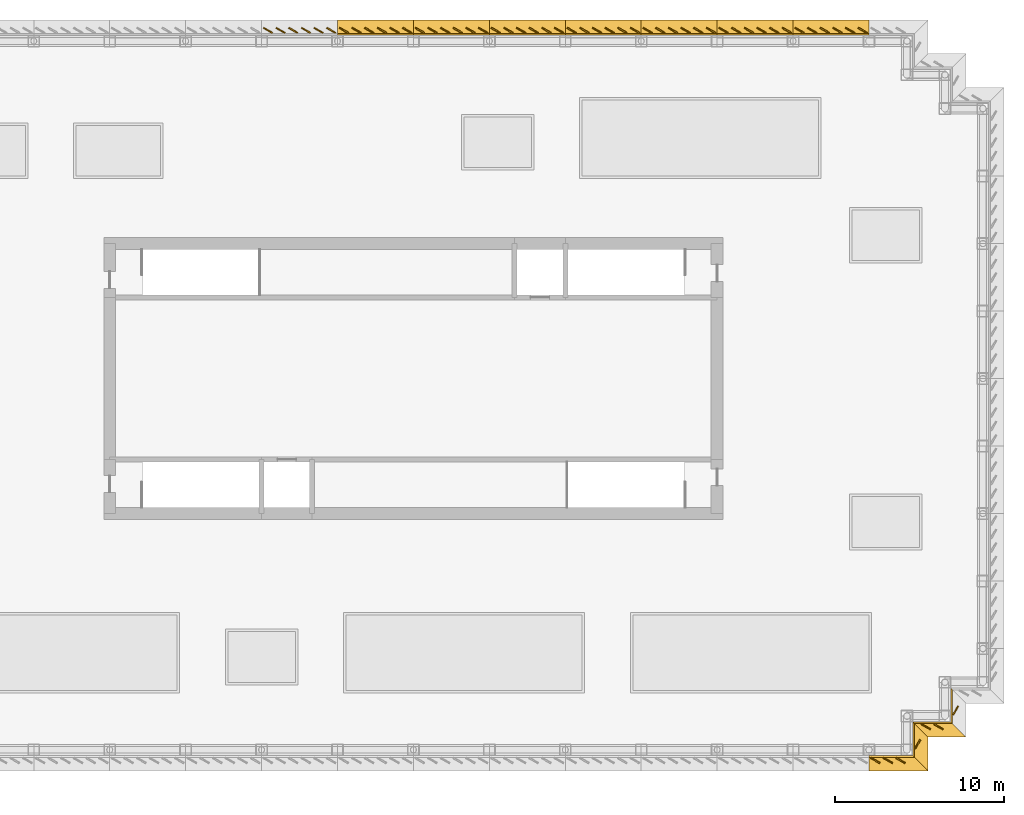
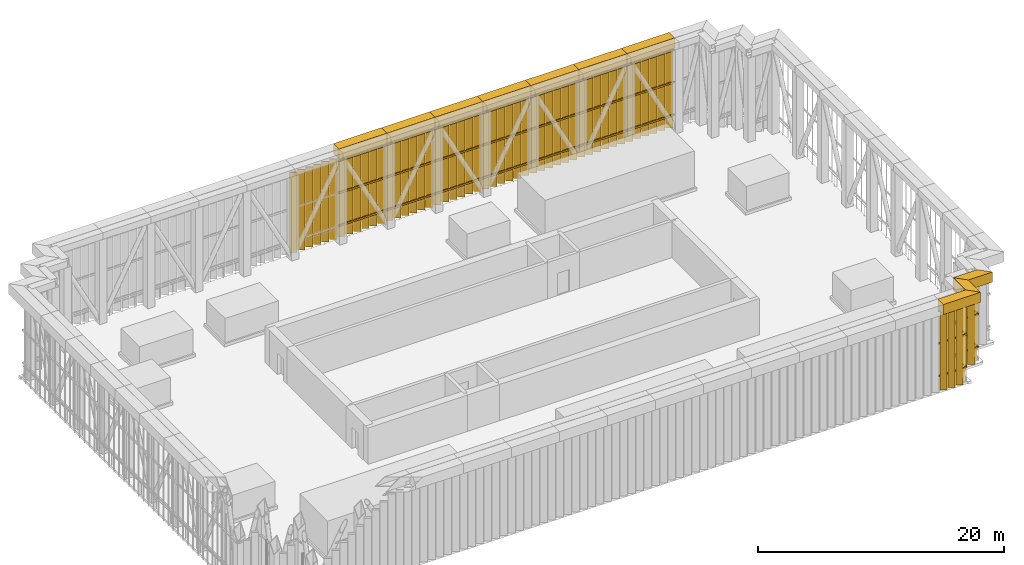
# One storey, part 8 of 11: 33 coverings.
"""IFC4 building model written with IfcOpenShell, lengths in metres."""

from ifc_helpers import new_model, si_unit, direction, frame, origin, place, context, subcontext, project, spatial, polyline, outline, extrude, material, layer, layer_set, type_object, element, save


model = new_model("IFC4")

# Units and contexts
model_context = context("Model", 3, precision=1e-05, world=origin(), true_north=direction((0.0, 1.0)))
body_context = subcontext(model_context, "Body", "Model", "MODEL_VIEW")
ifc_project = project(units=[si_unit("LENGTHUNIT", "METRE"), si_unit("AREAUNIT", "SQUARE_METRE"), si_unit("VOLUMEUNIT", "CUBIC_METRE"), si_unit("PLANEANGLEUNIT", "RADIAN"), si_unit("MASSUNIT", "GRAM", prefix="KILO")], contexts=[model_context])

# Site, building, storey
site_placement = place(None, origin())
site = spatial("IfcSite", under=ifc_project, at=site_placement, CompositionType="ELEMENT")
building_placement = place(site_placement, origin())
building = spatial("IfcBuilding", under=site, at=building_placement, Name="Rheinbord Bourse Tower", CompositionType="ELEMENT")
storey_placement = place(building_placement, frame((0.0, 0.0, 334.10009765625)))
storey = spatial("IfcBuildingStorey", under=building, at=storey_placement, Name="RF", CompositionType="ELEMENT", Elevation=334.10009765625)

# Coverings
ifc_material_1 = material(Name="Black aluminium coping on a steel frame", Category="steel")
ifc_layer_1 = layer(ifc_material_1, 1.0)
ifc_layer_set_1 = layer_set([ifc_layer_1], Name="CROWN CAP 900x1000")
covering_type_1 = type_object("IfcCoveringType", Name="CROWN CAP 900x1000", PredefinedType="USERDEFINED", material=ifc_layer_set_1)
covering_1_placement = place(storey_placement, frame((0.0, 0.0, 8.0)))
element("IfcCovering", 1, at=covering_1_placement, inside=storey, type_object=covering_type_1, Name="Crown cap S-63-SE-E", ObjectType="COPING", PredefinedType="USERDEFINED", context=body_context, shape_type="SweptSolid", body=[
    extrude(outline(polyline([(63.0, 1.64990234375), (65.60009765625, 1.64990234375), (66.5, 0.75), (63.0, 0.75), (63.0, 1.64990234375)])), origin(), (0.0, 0.0, 1.0), 1.0),
])
covering_2_placement = place(storey_placement, frame((0.0, 0.0, 8.0)))
element("IfcCovering", 2, at=covering_2_placement, inside=storey, type_object=covering_type_1, Name="Crown cap SE-E-SE-D", ObjectType="COPING", PredefinedType="USERDEFINED", context=body_context, shape_type="SweptSolid", body=[
    extrude(outline(polyline([(65.60009765625, 1.64990234375), (65.60009765625, 3.64990234375), (66.5, 2.75), (66.5, 0.75), (65.60009765625, 1.64990234375)])), origin(), (0.0, 0.0, 1.0), 1.0),
])
covering_3_placement = place(storey_placement, frame((0.0, 0.0, 8.0)))
element("IfcCovering", 3, at=covering_3_placement, inside=storey, type_object=covering_type_1, Name="Crown cap SE-D-SE-C", ObjectType="COPING", PredefinedType="USERDEFINED", context=body_context, shape_type="SweptSolid", body=[
    extrude(outline(polyline([(65.60009765625, 3.64990234375), (67.85009765625, 3.64990234375), (68.75, 2.75), (66.5, 2.75), (65.60009765625, 3.64990234375)])), origin(), (0.0, 0.0, 1.0), 1.0),
])
covering_4_placement = place(storey_placement, frame((0.0, 0.0, 8.0)))
element("IfcCovering", 4, at=covering_4_placement, inside=storey, type_object=covering_type_1, Name="Crown cap N-63-N-58.5", ObjectType="COPING", PredefinedType="USERDEFINED", context=body_context, shape_type="SweptSolid", body=[
    extrude(outline(polyline([(63.0, 44.35009765625), (58.5, 44.35009765625), (58.5, 45.25), (63.0, 45.25), (63.0, 44.35009765625)])), origin(), (0.0, 0.0, 1.0), 1.0),
])
covering_5_placement = place(storey_placement, frame((0.0, 0.0, 8.0)))
element("IfcCovering", 5, at=covering_5_placement, inside=storey, type_object=covering_type_1, Name="Crown cap N-58.5-N-54", ObjectType="COPING", PredefinedType="USERDEFINED", context=body_context, shape_type="SweptSolid", body=[
    extrude(outline(polyline([(58.5, 44.35009765625), (54.0, 44.35009765625), (54.0, 45.25), (58.5, 45.25), (58.5, 44.35009765625)])), origin(), (0.0, 0.0, 1.0), 1.0),
])
covering_6_placement = place(storey_placement, frame((0.0, 0.0, 8.0)))
element("IfcCovering", 6, at=covering_6_placement, inside=storey, type_object=covering_type_1, Name="Crown cap N-54-N-49.5", ObjectType="COPING", PredefinedType="USERDEFINED", context=body_context, shape_type="SweptSolid", body=[
    extrude(outline(polyline([(54.0, 44.35009765625), (49.5, 44.35009765625), (49.5, 45.25), (54.0, 45.25), (54.0, 44.35009765625)])), origin(), (0.0, 0.0, 1.0), 1.0),
])
covering_7_placement = place(storey_placement, frame((0.0, 0.0, 8.0)))
element("IfcCovering", 7, at=covering_7_placement, inside=storey, type_object=covering_type_1, Name="Crown cap N-49.5-N-45", ObjectType="COPING", PredefinedType="USERDEFINED", context=body_context, shape_type="SweptSolid", body=[
    extrude(outline(polyline([(49.5, 44.35009765625), (45.0, 44.35009765625), (45.0, 45.25), (49.5, 45.25), (49.5, 44.35009765625)])), origin(), (0.0, 0.0, 1.0), 1.0),
])
covering_8_placement = place(storey_placement, frame((0.0, 0.0, 8.0)))
element("IfcCovering", 8, at=covering_8_placement, inside=storey, type_object=covering_type_1, Name="Crown cap N-45-N-40.5", ObjectType="COPING", PredefinedType="USERDEFINED", context=body_context, shape_type="SweptSolid", body=[
    extrude(outline(polyline([(45.0, 44.35009765625), (40.5, 44.35009765625), (40.5, 45.25), (45.0, 45.25), (45.0, 44.35009765625)])), origin(), (0.0, 0.0, 1.0), 1.0),
])
covering_9_placement = place(storey_placement, frame((0.0, 0.0, 8.0)))
element("IfcCovering", 9, at=covering_9_placement, inside=storey, type_object=covering_type_1, Name="Crown cap N-40.5-N-36", ObjectType="COPING", PredefinedType="USERDEFINED", context=body_context, shape_type="SweptSolid", body=[
    extrude(outline(polyline([(40.5, 44.35009765625), (36.0, 44.35009765625), (36.0, 45.25), (40.5, 45.25), (40.5, 44.35009765625)])), origin(), (0.0, 0.0, 1.0), 1.0),
])
covering_10_placement = place(storey_placement, frame((0.0, 0.0, 8.0)))
element("IfcCovering", 10, at=covering_10_placement, inside=storey, type_object=covering_type_1, Name="Crown cap N-36-N-31.5", ObjectType="COPING", PredefinedType="USERDEFINED", context=body_context, shape_type="SweptSolid", body=[
    extrude(outline(polyline([(36.0, 44.35009765625), (31.5, 44.35009765625), (31.5, 45.25), (36.0, 45.25), (36.0, 44.35009765625)])), origin(), (0.0, 0.0, 1.0), 1.0),
])
ifc_material_2 = material(Name="Black anodised aluminium", Category="aluminium")
ifc_layer_2 = layer(ifc_material_2, 0.080078125)
ifc_layer_set_2 = layer_set([ifc_layer_2], Name="CROWN SCREEN BLADE 600x80")
covering_type_2 = type_object("IfcCoveringType", Name="CROWN SCREEN BLADE 600x80", PredefinedType="USERDEFINED", material=ifc_layer_set_2)
covering_11_placement = place(storey_placement, frame((0.0, 0.0, 0.0498046875)))
element("IfcCovering", 11, at=covering_11_placement, inside=storey, type_object=covering_type_2, Name="Crown screen blades S-63-SE-E", ObjectType="LOUVRE", PredefinedType="USERDEFINED", context=body_context, shape_type="SweptSolid", body=[
    extrude(outline(polyline([(63.135009765625, 1.550048828125), (63.655029296875, 1.25), (63.614990234375, 1.180908203125), (63.094970703125, 1.48095703125), (63.135009765625, 1.550048828125)])), origin(), (0.0, 0.0, 1.0), 7.9501953125),
    extrude(outline(polyline([(63.885009765625, 1.550048828125), (64.405029296875, 1.25), (64.364990234375, 1.180908203125), (63.844970703125, 1.48095703125), (63.885009765625, 1.550048828125)])), origin(), (0.0, 0.0, 1.0), 7.9501953125),
    extrude(outline(polyline([(64.635009765625, 1.550048828125), (65.155029296875, 1.25), (65.114990234375, 1.180908203125), (64.594970703125, 1.48095703125), (64.635009765625, 1.550048828125)])), origin(), (0.0, 0.0, 1.0), 7.9501953125),
])
covering_12_placement = place(storey_placement, frame((0.0, 0.0, 0.0498046875)))
element("IfcCovering", 12, at=covering_12_placement, inside=storey, type_object=covering_type_2, Name="Crown screen blades SE-E-SE-D", ObjectType="LOUVRE", PredefinedType="USERDEFINED", context=body_context, shape_type="SweptSolid", body=[
    extrude(outline(polyline([(65.699951171875, 2.093994140625), (66.0, 2.613037109375), (66.069091796875, 2.572998046875), (65.76904296875, 2.053955078125), (65.699951171875, 2.093994140625)])), origin(), (0.0, 0.0, 1.0), 7.9501953125),
])
covering_13_placement = place(storey_placement, frame((0.0, 0.0, 0.0498046875)))
element("IfcCovering", 13, at=covering_13_placement, inside=storey, type_object=covering_type_2, Name="Crown screen blades SE-D-SE-C", ObjectType="LOUVRE", PredefinedType="USERDEFINED", context=body_context, shape_type="SweptSolid", body=[
    extrude(outline(polyline([(66.135009765625, 3.550048828125), (66.655029296875, 3.25), (66.614990234375, 3.180908203125), (66.094970703125, 3.48095703125), (66.135009765625, 3.550048828125)])), origin(), (0.0, 0.0, 1.0), 7.9501953125),
    extrude(outline(polyline([(66.885009765625, 3.550048828125), (67.405029296875, 3.25), (67.364990234375, 3.180908203125), (66.844970703125, 3.48095703125), (66.885009765625, 3.550048828125)])), origin(), (0.0, 0.0, 1.0), 7.9501953125),
])
covering_14_placement = place(storey_placement, frame((0.0, 0.0, 0.0498046875)))
element("IfcCovering", 14, at=covering_14_placement, inside=storey, type_object=covering_type_2, Name="Crown screen blades SE-C-SE-B", ObjectType="LOUVRE", PredefinedType="USERDEFINED", context=body_context, shape_type="SweptSolid", body=[
    extrude(outline(polyline([(67.949951171875, 4.093994140625), (68.25, 4.613037109375), (68.319091796875, 4.572998046875), (68.01904296875, 4.053955078125), (67.949951171875, 4.093994140625)])), origin(), (0.0, 0.0, 1.0), 7.9501953125),
])
covering_15_placement = place(storey_placement, frame((0.0, 0.0, 0.0498046875)))
element("IfcCovering", 15, at=covering_15_placement, inside=storey, type_object=covering_type_2, Name="Crown screen blades N-63-N-58.5", ObjectType="LOUVRE", PredefinedType="USERDEFINED", context=body_context, shape_type="SweptSolid", body=[
    extrude(outline(polyline([(62.864990234375, 44.449951171875), (62.344970703125, 44.75), (62.385009765625, 44.819091796875), (62.905029296875, 44.51904296875), (62.864990234375, 44.449951171875)])), origin(), (0.0, 0.0, 1.0), 7.9501953125),
    extrude(outline(polyline([(62.114990234375, 44.449951171875), (61.594970703125, 44.75), (61.635009765625, 44.819091796875), (62.155029296875, 44.51904296875), (62.114990234375, 44.449951171875)])), origin(), (0.0, 0.0, 1.0), 7.9501953125),
    extrude(outline(polyline([(61.364990234375, 44.449951171875), (60.844970703125, 44.75), (60.885009765625, 44.819091796875), (61.405029296875, 44.51904296875), (61.364990234375, 44.449951171875)])), origin(), (0.0, 0.0, 1.0), 7.9501953125),
    extrude(outline(polyline([(60.614990234375, 44.449951171875), (60.094970703125, 44.75), (60.135009765625, 44.819091796875), (60.655029296875, 44.51904296875), (60.614990234375, 44.449951171875)])), origin(), (0.0, 0.0, 1.0), 7.9501953125),
    extrude(outline(polyline([(59.864990234375, 44.449951171875), (59.344970703125, 44.75), (59.385009765625, 44.819091796875), (59.905029296875, 44.51904296875), (59.864990234375, 44.449951171875)])), origin(), (0.0, 0.0, 1.0), 7.9501953125),
    extrude(outline(polyline([(59.114990234375, 44.449951171875), (58.594970703125, 44.75), (58.635009765625, 44.819091796875), (59.155029296875, 44.51904296875), (59.114990234375, 44.449951171875)])), origin(), (0.0, 0.0, 1.0), 7.9501953125),
])
covering_16_placement = place(storey_placement, frame((0.0, 0.0, 0.0498046875)))
element("IfcCovering", 16, at=covering_16_placement, inside=storey, type_object=covering_type_2, Name="Crown screen blades N-58.5-N-54", ObjectType="LOUVRE", PredefinedType="USERDEFINED", context=body_context, shape_type="SweptSolid", body=[
    extrude(outline(polyline([(58.364990234375, 44.449951171875), (57.844970703125, 44.75), (57.885009765625, 44.819091796875), (58.405029296875, 44.51904296875), (58.364990234375, 44.449951171875)])), origin(), (0.0, 0.0, 1.0), 7.9501953125),
    extrude(outline(polyline([(57.614990234375, 44.449951171875), (57.094970703125, 44.75), (57.135009765625, 44.819091796875), (57.655029296875, 44.51904296875), (57.614990234375, 44.449951171875)])), origin(), (0.0, 0.0, 1.0), 7.9501953125),
    extrude(outline(polyline([(56.864990234375, 44.449951171875), (56.344970703125, 44.75), (56.385009765625, 44.819091796875), (56.905029296875, 44.51904296875), (56.864990234375, 44.449951171875)])), origin(), (0.0, 0.0, 1.0), 7.9501953125),
    extrude(outline(polyline([(56.114990234375, 44.449951171875), (55.594970703125, 44.75), (55.635009765625, 44.819091796875), (56.155029296875, 44.51904296875), (56.114990234375, 44.449951171875)])), origin(), (0.0, 0.0, 1.0), 7.9501953125),
    extrude(outline(polyline([(55.364990234375, 44.449951171875), (54.844970703125, 44.75), (54.885009765625, 44.819091796875), (55.405029296875, 44.51904296875), (55.364990234375, 44.449951171875)])), origin(), (0.0, 0.0, 1.0), 7.9501953125),
    extrude(outline(polyline([(54.614990234375, 44.449951171875), (54.094970703125, 44.75), (54.135009765625, 44.819091796875), (54.655029296875, 44.51904296875), (54.614990234375, 44.449951171875)])), origin(), (0.0, 0.0, 1.0), 7.9501953125),
])
covering_17_placement = place(storey_placement, frame((0.0, 0.0, 0.0498046875)))
element("IfcCovering", 17, at=covering_17_placement, inside=storey, type_object=covering_type_2, Name="Crown screen blades N-54-N-49.5", ObjectType="LOUVRE", PredefinedType="USERDEFINED", context=body_context, shape_type="SweptSolid", body=[
    extrude(outline(polyline([(53.864990234375, 44.449951171875), (53.344970703125, 44.75), (53.385009765625, 44.819091796875), (53.905029296875, 44.51904296875), (53.864990234375, 44.449951171875)])), origin(), (0.0, 0.0, 1.0), 7.9501953125),
    extrude(outline(polyline([(53.114990234375, 44.449951171875), (52.594970703125, 44.75), (52.635009765625, 44.819091796875), (53.155029296875, 44.51904296875), (53.114990234375, 44.449951171875)])), origin(), (0.0, 0.0, 1.0), 7.9501953125),
    extrude(outline(polyline([(52.364990234375, 44.449951171875), (51.844970703125, 44.75), (51.885009765625, 44.819091796875), (52.405029296875, 44.51904296875), (52.364990234375, 44.449951171875)])), origin(), (0.0, 0.0, 1.0), 7.9501953125),
    extrude(outline(polyline([(51.614990234375, 44.449951171875), (51.094970703125, 44.75), (51.135009765625, 44.819091796875), (51.655029296875, 44.51904296875), (51.614990234375, 44.449951171875)])), origin(), (0.0, 0.0, 1.0), 7.9501953125),
    extrude(outline(polyline([(50.864990234375, 44.449951171875), (50.344970703125, 44.75), (50.385009765625, 44.819091796875), (50.905029296875, 44.51904296875), (50.864990234375, 44.449951171875)])), origin(), (0.0, 0.0, 1.0), 7.9501953125),
    extrude(outline(polyline([(50.114990234375, 44.449951171875), (49.594970703125, 44.75), (49.635009765625, 44.819091796875), (50.155029296875, 44.51904296875), (50.114990234375, 44.449951171875)])), origin(), (0.0, 0.0, 1.0), 7.9501953125),
])
covering_18_placement = place(storey_placement, frame((0.0, 0.0, 0.0498046875)))
element("IfcCovering", 18, at=covering_18_placement, inside=storey, type_object=covering_type_2, Name="Crown screen blades N-49.5-N-45", ObjectType="LOUVRE", PredefinedType="USERDEFINED", context=body_context, shape_type="SweptSolid", body=[
    extrude(outline(polyline([(49.364990234375, 44.449951171875), (48.844970703125, 44.75), (48.885009765625, 44.819091796875), (49.405029296875, 44.51904296875), (49.364990234375, 44.449951171875)])), origin(), (0.0, 0.0, 1.0), 7.9501953125),
    extrude(outline(polyline([(48.614990234375, 44.449951171875), (48.094970703125, 44.75), (48.135009765625, 44.819091796875), (48.655029296875, 44.51904296875), (48.614990234375, 44.449951171875)])), origin(), (0.0, 0.0, 1.0), 7.9501953125),
    extrude(outline(polyline([(47.864990234375, 44.449951171875), (47.344970703125, 44.75), (47.385009765625, 44.819091796875), (47.905029296875, 44.51904296875), (47.864990234375, 44.449951171875)])), origin(), (0.0, 0.0, 1.0), 7.9501953125),
    extrude(outline(polyline([(47.114990234375, 44.449951171875), (46.594970703125, 44.75), (46.635009765625, 44.819091796875), (47.155029296875, 44.51904296875), (47.114990234375, 44.449951171875)])), origin(), (0.0, 0.0, 1.0), 7.9501953125),
    extrude(outline(polyline([(46.364990234375, 44.449951171875), (45.844970703125, 44.75), (45.885009765625, 44.819091796875), (46.405029296875, 44.51904296875), (46.364990234375, 44.449951171875)])), origin(), (0.0, 0.0, 1.0), 7.9501953125),
    extrude(outline(polyline([(45.614990234375, 44.449951171875), (45.094970703125, 44.75), (45.135009765625, 44.819091796875), (45.655029296875, 44.51904296875), (45.614990234375, 44.449951171875)])), origin(), (0.0, 0.0, 1.0), 7.9501953125),
])
covering_19_placement = place(storey_placement, frame((0.0, 0.0, 0.0498046875)))
element("IfcCovering", 19, at=covering_19_placement, inside=storey, type_object=covering_type_2, Name="Crown screen blades N-45-N-40.5", ObjectType="LOUVRE", PredefinedType="USERDEFINED", context=body_context, shape_type="SweptSolid", body=[
    extrude(outline(polyline([(44.864990234375, 44.449951171875), (44.344970703125, 44.75), (44.385009765625, 44.819091796875), (44.905029296875, 44.51904296875), (44.864990234375, 44.449951171875)])), origin(), (0.0, 0.0, 1.0), 7.9501953125),
    extrude(outline(polyline([(44.114990234375, 44.449951171875), (43.594970703125, 44.75), (43.635009765625, 44.819091796875), (44.155029296875, 44.51904296875), (44.114990234375, 44.449951171875)])), origin(), (0.0, 0.0, 1.0), 7.9501953125),
    extrude(outline(polyline([(43.364990234375, 44.449951171875), (42.844970703125, 44.75), (42.885009765625, 44.819091796875), (43.405029296875, 44.51904296875), (43.364990234375, 44.449951171875)])), origin(), (0.0, 0.0, 1.0), 7.9501953125),
    extrude(outline(polyline([(42.614990234375, 44.449951171875), (42.094970703125, 44.75), (42.135009765625, 44.819091796875), (42.655029296875, 44.51904296875), (42.614990234375, 44.449951171875)])), origin(), (0.0, 0.0, 1.0), 7.9501953125),
    extrude(outline(polyline([(41.864990234375, 44.449951171875), (41.344970703125, 44.75), (41.385009765625, 44.819091796875), (41.905029296875, 44.51904296875), (41.864990234375, 44.449951171875)])), origin(), (0.0, 0.0, 1.0), 7.9501953125),
    extrude(outline(polyline([(41.114990234375, 44.449951171875), (40.594970703125, 44.75), (40.635009765625, 44.819091796875), (41.155029296875, 44.51904296875), (41.114990234375, 44.449951171875)])), origin(), (0.0, 0.0, 1.0), 7.9501953125),
])
covering_20_placement = place(storey_placement, frame((0.0, 0.0, 0.0498046875)))
element("IfcCovering", 20, at=covering_20_placement, inside=storey, type_object=covering_type_2, Name="Crown screen blades N-40.5-N-36", ObjectType="LOUVRE", PredefinedType="USERDEFINED", context=body_context, shape_type="SweptSolid", body=[
    extrude(outline(polyline([(40.364990234375, 44.449951171875), (39.844970703125, 44.75), (39.885009765625, 44.819091796875), (40.405029296875, 44.51904296875), (40.364990234375, 44.449951171875)])), origin(), (0.0, 0.0, 1.0), 7.9501953125),
    extrude(outline(polyline([(39.614990234375, 44.449951171875), (39.094970703125, 44.75), (39.135009765625, 44.819091796875), (39.655029296875, 44.51904296875), (39.614990234375, 44.449951171875)])), origin(), (0.0, 0.0, 1.0), 7.9501953125),
    extrude(outline(polyline([(38.864990234375, 44.449951171875), (38.344970703125, 44.75), (38.385009765625, 44.819091796875), (38.905029296875, 44.51904296875), (38.864990234375, 44.449951171875)])), origin(), (0.0, 0.0, 1.0), 7.9501953125),
    extrude(outline(polyline([(38.114990234375, 44.449951171875), (37.594970703125, 44.75), (37.635009765625, 44.819091796875), (38.155029296875, 44.51904296875), (38.114990234375, 44.449951171875)])), origin(), (0.0, 0.0, 1.0), 7.9501953125),
    extrude(outline(polyline([(37.364990234375, 44.449951171875), (36.844970703125, 44.75), (36.885009765625, 44.819091796875), (37.405029296875, 44.51904296875), (37.364990234375, 44.449951171875)])), origin(), (0.0, 0.0, 1.0), 7.9501953125),
    extrude(outline(polyline([(36.614990234375, 44.449951171875), (36.094970703125, 44.75), (36.135009765625, 44.819091796875), (36.655029296875, 44.51904296875), (36.614990234375, 44.449951171875)])), origin(), (0.0, 0.0, 1.0), 7.9501953125),
])
covering_21_placement = place(storey_placement, frame((0.0, 0.0, 0.0498046875)))
element("IfcCovering", 21, at=covering_21_placement, inside=storey, type_object=covering_type_2, Name="Crown screen blades N-36-N-31.5", ObjectType="LOUVRE", PredefinedType="USERDEFINED", context=body_context, shape_type="SweptSolid", body=[
    extrude(outline(polyline([(35.864990234375, 44.449951171875), (35.344970703125, 44.75), (35.385009765625, 44.819091796875), (35.905029296875, 44.51904296875), (35.864990234375, 44.449951171875)])), origin(), (0.0, 0.0, 1.0), 7.9501953125),
    extrude(outline(polyline([(35.114990234375, 44.449951171875), (34.594970703125, 44.75), (34.635009765625, 44.819091796875), (35.155029296875, 44.51904296875), (35.114990234375, 44.449951171875)])), origin(), (0.0, 0.0, 1.0), 7.9501953125),
    extrude(outline(polyline([(34.364990234375, 44.449951171875), (33.844970703125, 44.75), (33.885009765625, 44.819091796875), (34.405029296875, 44.51904296875), (34.364990234375, 44.449951171875)])), origin(), (0.0, 0.0, 1.0), 7.9501953125),
    extrude(outline(polyline([(33.614990234375, 44.449951171875), (33.094970703125, 44.75), (33.135009765625, 44.819091796875), (33.655029296875, 44.51904296875), (33.614990234375, 44.449951171875)])), origin(), (0.0, 0.0, 1.0), 7.9501953125),
    extrude(outline(polyline([(32.864990234375, 44.449951171875), (32.344970703125, 44.75), (32.385009765625, 44.819091796875), (32.905029296875, 44.51904296875), (32.864990234375, 44.449951171875)])), origin(), (0.0, 0.0, 1.0), 7.9501953125),
    extrude(outline(polyline([(32.114990234375, 44.449951171875), (31.594970703125, 44.75), (31.635009765625, 44.819091796875), (32.155029296875, 44.51904296875), (32.114990234375, 44.449951171875)])), origin(), (0.0, 0.0, 1.0), 7.9501953125),
])
covering_22_placement = place(storey_placement, frame((0.0, 0.0, 0.0498046875)))
element("IfcCovering", 22, at=covering_22_placement, inside=storey, type_object=covering_type_2, Name="Crown screen blades N-31.5-N-27", ObjectType="LOUVRE", PredefinedType="USERDEFINED", context=body_context, shape_type="SweptSolid", body=[
    extrude(outline(polyline([(31.364990234375, 44.449951171875), (30.844970703125, 44.75), (30.885009765625, 44.819091796875), (31.405029296875, 44.51904296875), (31.364990234375, 44.449951171875)])), origin(), (0.0, 0.0, 1.0), 7.9501953125),
    extrude(outline(polyline([(30.614990234375, 44.449951171875), (30.094970703125, 44.75), (30.135009765625, 44.819091796875), (30.655029296875, 44.51904296875), (30.614990234375, 44.449951171875)])), origin(), (0.0, 0.0, 1.0), 7.9501953125),
    extrude(outline(polyline([(29.864990234375, 44.449951171875), (29.344970703125, 44.75), (29.385009765625, 44.819091796875), (29.905029296875, 44.51904296875), (29.864990234375, 44.449951171875)])), origin(), (0.0, 0.0, 1.0), 7.9501953125),
    extrude(outline(polyline([(29.114990234375, 44.449951171875), (28.594970703125, 44.75), (28.635009765625, 44.819091796875), (29.155029296875, 44.51904296875), (29.114990234375, 44.449951171875)])), origin(), (0.0, 0.0, 1.0), 7.9501953125),
    extrude(outline(polyline([(28.364990234375, 44.449951171875), (27.844970703125, 44.75), (27.885009765625, 44.819091796875), (28.405029296875, 44.51904296875), (28.364990234375, 44.449951171875)])), origin(), (0.0, 0.0, 1.0), 7.9501953125),
    extrude(outline(polyline([(27.614990234375, 44.449951171875), (27.094970703125, 44.75), (27.135009765625, 44.819091796875), (27.655029296875, 44.51904296875), (27.614990234375, 44.449951171875)])), origin(), (0.0, 0.0, 1.0), 7.9501953125),
])
ifc_material_3 = material(Name="Black powder-coated steel", Category="steel")
ifc_layer_3 = layer(ifc_material_3, 0.10009765625)
ifc_layer_set_3 = layer_set([ifc_layer_3], Name="CROWN SCREEN RAIL 150x100")
covering_type_3 = type_object("IfcCoveringType", Name="CROWN SCREEN RAIL 150x100", PredefinedType="USERDEFINED", material=ifc_layer_set_3)
covering_23_placement = place(storey_placement, frame((0.0, 0.0, 1.2998046875)))
element("IfcCovering", 23, at=covering_23_placement, inside=storey, type_object=covering_type_3, Name="Crown screen rails S-63-SE-E", ObjectType="LOUVRE RAIL", PredefinedType="USERDEFINED", context=body_context, shape_type="SweptSolid", body=[
    extrude(outline(polyline([(63.0, 1.64990234375), (65.60009765625, 1.64990234375), (65.699951171875, 1.550048828125), (63.0, 1.550048828125), (63.0, 1.64990234375)])), origin(), (0.0, 0.0, 1.0), 0.150146484375),
    extrude(outline(polyline([(63.0, 1.64990234375), (65.60009765625, 1.64990234375), (65.699951171875, 1.550048828125), (63.0, 1.550048828125), (63.0, 1.64990234375)])), frame((0.0, 0.0, 3.25)), (0.0, 0.0, 1.0), 0.150146484375),
    extrude(outline(polyline([(63.0, 1.64990234375), (65.60009765625, 1.64990234375), (65.699951171875, 1.550048828125), (63.0, 1.550048828125), (63.0, 1.64990234375)])), frame((0.0, 0.0, 6.4501953125)), (0.0, 0.0, 1.0), 0.14990234375),
])
covering_24_placement = place(storey_placement, frame((0.0, 0.0, 1.2998046875)))
element("IfcCovering", 24, at=covering_24_placement, inside=storey, type_object=covering_type_3, Name="Crown screen rails SE-E-SE-D", ObjectType="LOUVRE RAIL", PredefinedType="USERDEFINED", context=body_context, shape_type="SweptSolid", body=[
    extrude(outline(polyline([(65.60009765625, 1.64990234375), (65.60009765625, 3.64990234375), (65.699951171875, 3.550048828125), (65.699951171875, 1.550048828125), (65.60009765625, 1.64990234375)])), origin(), (0.0, 0.0, 1.0), 0.150146484375),
    extrude(outline(polyline([(65.60009765625, 1.64990234375), (65.60009765625, 3.64990234375), (65.699951171875, 3.550048828125), (65.699951171875, 1.550048828125), (65.60009765625, 1.64990234375)])), frame((0.0, 0.0, 3.25)), (0.0, 0.0, 1.0), 0.150146484375),
    extrude(outline(polyline([(65.60009765625, 1.64990234375), (65.60009765625, 3.64990234375), (65.699951171875, 3.550048828125), (65.699951171875, 1.550048828125), (65.60009765625, 1.64990234375)])), frame((0.0, 0.0, 6.4501953125)), (0.0, 0.0, 1.0), 0.14990234375),
])
covering_25_placement = place(storey_placement, frame((0.0, 0.0, 1.2998046875)))
element("IfcCovering", 25, at=covering_25_placement, inside=storey, type_object=covering_type_3, Name="Crown screen rails SE-D-SE-C", ObjectType="LOUVRE RAIL", PredefinedType="USERDEFINED", context=body_context, shape_type="SweptSolid", body=[
    extrude(outline(polyline([(65.60009765625, 3.64990234375), (67.85009765625, 3.64990234375), (67.949951171875, 3.550048828125), (65.699951171875, 3.550048828125), (65.60009765625, 3.64990234375)])), origin(), (0.0, 0.0, 1.0), 0.150146484375),
    extrude(outline(polyline([(65.60009765625, 3.64990234375), (67.85009765625, 3.64990234375), (67.949951171875, 3.550048828125), (65.699951171875, 3.550048828125), (65.60009765625, 3.64990234375)])), frame((0.0, 0.0, 3.25)), (0.0, 0.0, 1.0), 0.150146484375),
    extrude(outline(polyline([(65.60009765625, 3.64990234375), (67.85009765625, 3.64990234375), (67.949951171875, 3.550048828125), (65.699951171875, 3.550048828125), (65.60009765625, 3.64990234375)])), frame((0.0, 0.0, 6.4501953125)), (0.0, 0.0, 1.0), 0.14990234375),
])
covering_26_placement = place(storey_placement, frame((0.0, 0.0, 1.2998046875)))
element("IfcCovering", 26, at=covering_26_placement, inside=storey, type_object=covering_type_3, Name="Crown screen rails SE-C-SE-B", ObjectType="LOUVRE RAIL", PredefinedType="USERDEFINED", context=body_context, shape_type="SweptSolid", body=[
    extrude(outline(polyline([(67.85009765625, 3.64990234375), (67.85009765625, 5.64990234375), (67.949951171875, 5.550048828125), (67.949951171875, 3.550048828125), (67.85009765625, 3.64990234375)])), origin(), (0.0, 0.0, 1.0), 0.150146484375),
    extrude(outline(polyline([(67.85009765625, 3.64990234375), (67.85009765625, 5.64990234375), (67.949951171875, 5.550048828125), (67.949951171875, 3.550048828125), (67.85009765625, 3.64990234375)])), frame((0.0, 0.0, 3.25)), (0.0, 0.0, 1.0), 0.150146484375),
    extrude(outline(polyline([(67.85009765625, 3.64990234375), (67.85009765625, 5.64990234375), (67.949951171875, 5.550048828125), (67.949951171875, 3.550048828125), (67.85009765625, 3.64990234375)])), frame((0.0, 0.0, 6.4501953125)), (0.0, 0.0, 1.0), 0.14990234375),
])
covering_27_placement = place(storey_placement, frame((0.0, 0.0, 1.2998046875)))
element("IfcCovering", 27, at=covering_27_placement, inside=storey, type_object=covering_type_3, Name="Crown screen rails N-63-N-58.5", ObjectType="LOUVRE RAIL", PredefinedType="USERDEFINED", context=body_context, shape_type="SweptSolid", body=[
    extrude(outline(polyline([(63.0, 44.35009765625), (58.5, 44.35009765625), (58.5, 44.449951171875), (63.0, 44.449951171875), (63.0, 44.35009765625)])), origin(), (0.0, 0.0, 1.0), 0.150146484375),
    extrude(outline(polyline([(63.0, 44.35009765625), (58.5, 44.35009765625), (58.5, 44.449951171875), (63.0, 44.449951171875), (63.0, 44.35009765625)])), frame((0.0, 0.0, 3.25)), (0.0, 0.0, 1.0), 0.150146484375),
    extrude(outline(polyline([(63.0, 44.35009765625), (58.5, 44.35009765625), (58.5, 44.449951171875), (63.0, 44.449951171875), (63.0, 44.35009765625)])), frame((0.0, 0.0, 6.4501953125)), (0.0, 0.0, 1.0), 0.14990234375),
])
covering_28_placement = place(storey_placement, frame((0.0, 0.0, 1.2998046875)))
element("IfcCovering", 28, at=covering_28_placement, inside=storey, type_object=covering_type_3, Name="Crown screen rails N-58.5-N-54", ObjectType="LOUVRE RAIL", PredefinedType="USERDEFINED", context=body_context, shape_type="SweptSolid", body=[
    extrude(outline(polyline([(58.5, 44.35009765625), (54.0, 44.35009765625), (54.0, 44.449951171875), (58.5, 44.449951171875), (58.5, 44.35009765625)])), origin(), (0.0, 0.0, 1.0), 0.150146484375),
    extrude(outline(polyline([(58.5, 44.35009765625), (54.0, 44.35009765625), (54.0, 44.449951171875), (58.5, 44.449951171875), (58.5, 44.35009765625)])), frame((0.0, 0.0, 3.25)), (0.0, 0.0, 1.0), 0.150146484375),
    extrude(outline(polyline([(58.5, 44.35009765625), (54.0, 44.35009765625), (54.0, 44.449951171875), (58.5, 44.449951171875), (58.5, 44.35009765625)])), frame((0.0, 0.0, 6.4501953125)), (0.0, 0.0, 1.0), 0.14990234375),
])
covering_29_placement = place(storey_placement, frame((0.0, 0.0, 1.2998046875)))
element("IfcCovering", 29, at=covering_29_placement, inside=storey, type_object=covering_type_3, Name="Crown screen rails N-54-N-49.5", ObjectType="LOUVRE RAIL", PredefinedType="USERDEFINED", context=body_context, shape_type="SweptSolid", body=[
    extrude(outline(polyline([(54.0, 44.35009765625), (49.5, 44.35009765625), (49.5, 44.449951171875), (54.0, 44.449951171875), (54.0, 44.35009765625)])), origin(), (0.0, 0.0, 1.0), 0.150146484375),
    extrude(outline(polyline([(54.0, 44.35009765625), (49.5, 44.35009765625), (49.5, 44.449951171875), (54.0, 44.449951171875), (54.0, 44.35009765625)])), frame((0.0, 0.0, 3.25)), (0.0, 0.0, 1.0), 0.150146484375),
    extrude(outline(polyline([(54.0, 44.35009765625), (49.5, 44.35009765625), (49.5, 44.449951171875), (54.0, 44.449951171875), (54.0, 44.35009765625)])), frame((0.0, 0.0, 6.4501953125)), (0.0, 0.0, 1.0), 0.14990234375),
])
covering_30_placement = place(storey_placement, frame((0.0, 0.0, 1.2998046875)))
element("IfcCovering", 30, at=covering_30_placement, inside=storey, type_object=covering_type_3, Name="Crown screen rails N-49.5-N-45", ObjectType="LOUVRE RAIL", PredefinedType="USERDEFINED", context=body_context, shape_type="SweptSolid", body=[
    extrude(outline(polyline([(49.5, 44.35009765625), (45.0, 44.35009765625), (45.0, 44.449951171875), (49.5, 44.449951171875), (49.5, 44.35009765625)])), origin(), (0.0, 0.0, 1.0), 0.150146484375),
    extrude(outline(polyline([(49.5, 44.35009765625), (45.0, 44.35009765625), (45.0, 44.449951171875), (49.5, 44.449951171875), (49.5, 44.35009765625)])), frame((0.0, 0.0, 3.25)), (0.0, 0.0, 1.0), 0.150146484375),
    extrude(outline(polyline([(49.5, 44.35009765625), (45.0, 44.35009765625), (45.0, 44.449951171875), (49.5, 44.449951171875), (49.5, 44.35009765625)])), frame((0.0, 0.0, 6.4501953125)), (0.0, 0.0, 1.0), 0.14990234375),
])
covering_31_placement = place(storey_placement, frame((0.0, 0.0, 1.2998046875)))
element("IfcCovering", 31, at=covering_31_placement, inside=storey, type_object=covering_type_3, Name="Crown screen rails N-45-N-40.5", ObjectType="LOUVRE RAIL", PredefinedType="USERDEFINED", context=body_context, shape_type="SweptSolid", body=[
    extrude(outline(polyline([(45.0, 44.35009765625), (40.5, 44.35009765625), (40.5, 44.449951171875), (45.0, 44.449951171875), (45.0, 44.35009765625)])), origin(), (0.0, 0.0, 1.0), 0.150146484375),
    extrude(outline(polyline([(45.0, 44.35009765625), (40.5, 44.35009765625), (40.5, 44.449951171875), (45.0, 44.449951171875), (45.0, 44.35009765625)])), frame((0.0, 0.0, 3.25)), (0.0, 0.0, 1.0), 0.150146484375),
    extrude(outline(polyline([(45.0, 44.35009765625), (40.5, 44.35009765625), (40.5, 44.449951171875), (45.0, 44.449951171875), (45.0, 44.35009765625)])), frame((0.0, 0.0, 6.4501953125)), (0.0, 0.0, 1.0), 0.14990234375),
])
covering_32_placement = place(storey_placement, frame((0.0, 0.0, 1.2998046875)))
element("IfcCovering", 32, at=covering_32_placement, inside=storey, type_object=covering_type_3, Name="Crown screen rails N-40.5-N-36", ObjectType="LOUVRE RAIL", PredefinedType="USERDEFINED", context=body_context, shape_type="SweptSolid", body=[
    extrude(outline(polyline([(40.5, 44.35009765625), (36.0, 44.35009765625), (36.0, 44.449951171875), (40.5, 44.449951171875), (40.5, 44.35009765625)])), origin(), (0.0, 0.0, 1.0), 0.150146484375),
    extrude(outline(polyline([(40.5, 44.35009765625), (36.0, 44.35009765625), (36.0, 44.449951171875), (40.5, 44.449951171875), (40.5, 44.35009765625)])), frame((0.0, 0.0, 3.25)), (0.0, 0.0, 1.0), 0.150146484375),
    extrude(outline(polyline([(40.5, 44.35009765625), (36.0, 44.35009765625), (36.0, 44.449951171875), (40.5, 44.449951171875), (40.5, 44.35009765625)])), frame((0.0, 0.0, 6.4501953125)), (0.0, 0.0, 1.0), 0.14990234375),
])
covering_33_placement = place(storey_placement, frame((0.0, 0.0, 1.2998046875)))
element("IfcCovering", 33, at=covering_33_placement, inside=storey, type_object=covering_type_3, Name="Crown screen rails N-36-N-31.5", ObjectType="LOUVRE RAIL", PredefinedType="USERDEFINED", context=body_context, shape_type="SweptSolid", body=[
    extrude(outline(polyline([(36.0, 44.35009765625), (31.5, 44.35009765625), (31.5, 44.449951171875), (36.0, 44.449951171875), (36.0, 44.35009765625)])), origin(), (0.0, 0.0, 1.0), 0.150146484375),
    extrude(outline(polyline([(36.0, 44.35009765625), (31.5, 44.35009765625), (31.5, 44.449951171875), (36.0, 44.449951171875), (36.0, 44.35009765625)])), frame((0.0, 0.0, 3.25)), (0.0, 0.0, 1.0), 0.150146484375),
    extrude(outline(polyline([(36.0, 44.35009765625), (31.5, 44.35009765625), (31.5, 44.449951171875), (36.0, 44.449951171875), (36.0, 44.35009765625)])), frame((0.0, 0.0, 6.4501953125)), (0.0, 0.0, 1.0), 0.14990234375),
])

save(model, "model.ifc")
